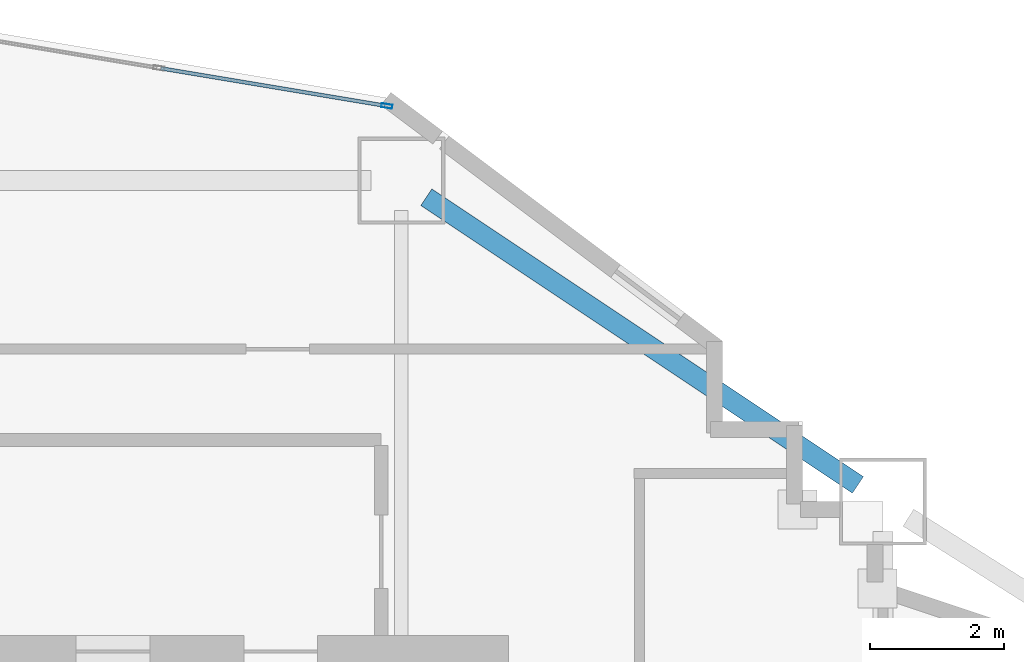
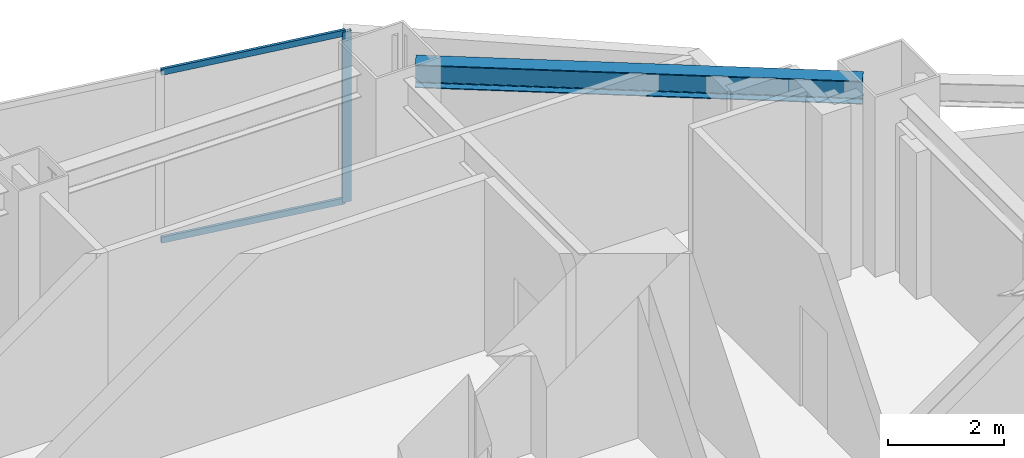
# One storey, part 5 of 17: 3 members, 1 beam, 1 element without a shape of its own.
"""IFC4 building model written with IfcOpenShell, lengths in metres."""

from ifc_helpers import new_model, si_unit, direction, frame, origin, origin_2d, place, context, subcontext, project, spatial, hollow_rectangle, i_section, extrude, material, layer, layer_set, material_profile, profile_set, type_object, element, aggregate, save


model = new_model("IFC4")

# Units and contexts
model_context = context("Model", 3, precision=1e-05, world=origin(), true_north=direction((0.0, 1.0)))
body_context = subcontext(model_context, "Body", "Model", "MODEL_VIEW")
ifc_project = project(units=[si_unit("LENGTHUNIT", "METRE"), si_unit("AREAUNIT", "SQUARE_METRE"), si_unit("VOLUMEUNIT", "CUBIC_METRE"), si_unit("PLANEANGLEUNIT", "RADIAN"), si_unit("MASSUNIT", "GRAM", prefix="KILO")], contexts=[model_context])

# Site, building, storey
site_placement = place(None, origin())
site = spatial("IfcSite", under=ifc_project, at=site_placement, CompositionType="ELEMENT")
building_placement = place(site_placement, origin())
building = spatial("IfcBuilding", under=site, at=building_placement, Name="Haolan Belvedere Tower", CompositionType="ELEMENT")
storey_placement = place(building_placement, frame((0.0, 0.0, 35.39990234375)))
storey = spatial("IfcBuildingStorey", under=building, at=storey_placement, Name="L08", CompositionType="ELEMENT", Elevation=35.39990234375)

# Beam
ifc_material_1 = material(Name="Steel Q355B", Category="steel")
ifc_material_profile_1 = material_profile(ifc_material_1, i_section(OverallWidth=0.300048828125, OverallDepth=0.488037109375, WebThickness=0.010986328125, FlangeThickness=0.01806640625, FilletRadius=0.02587890625, at=origin_2d()), Name="Steel Q355B")
ifc_profile_set_1 = profile_set([ifc_material_profile_1], Name="Steel Q355B")
beam_type = type_object("IfcBeamType", Name="BM-HM488x300x11x18", PredefinedType="SPANDREL", material=ifc_profile_set_1)
beam_placement = place(storey_placement, frame((45.974365234375, 50.150390625, 3.356201171875), z_axis=(0.832050294338, -0.554700196225, 0.0), x_axis=(0.554700196225, 0.832050294338, 0.0)))
element("IfcBeam", 1, at=beam_placement, inside=storey, type_object=beam_type, Name="L08 spandrel girder MC-T3-N2-MC-T3-NE", PredefinedType="SPANDREL", context=body_context, shape_type="SweptSolid", body=[
    extrude(i_section(OverallWidth=0.300048828125, OverallDepth=0.488037109375, WebThickness=0.010986328125, FlangeThickness=0.01806640625, FilletRadius=0.02587890625, at=origin_2d()), origin(), (0.0, 0.0, 1.0), 7.75341796875),
])

# Curtain wall, members
ifc_material_2 = material(Name="Anodised champagne-silver aluminium 6063-T6 and Low-E glass", Category="aluminium")
ifc_layer = layer(ifc_material_2, 0.1650390625, Name="Anodised champagne-silver aluminium 6063-T6 and Low-E glass")
ifc_layer_set = layer_set([ifc_layer], Name="Anodised champagne-silver aluminium 6063-T6 and Low-E glass")
curtain_wall_type = type_object("IfcCurtainWallType", Name="CW-SYS-02", PredefinedType="NOTDEFINED", material=ifc_layer_set)
curtain_wall_placement = place(storey_placement, origin())
curtain_wall = element("IfcCurtainWall", 2, at=curtain_wall_placement, inside=storey, type_object=curtain_wall_type, Name="L08 CW-SYS-02 ribbon curtain wall 42.1", PredefinedType="NOTDEFINED")
ifc_material_3 = material(Name="Anodised aluminium 6063-T6", Category="aluminium")
ifc_material_profile_2 = material_profile(ifc_material_3, hollow_rectangle(XDim=0.06005859375, YDim=0.1650390625, WallThickness=0.00390625, at=origin_2d()), Name="Anodised aluminium 6063-T6")
ifc_profile_set_2 = profile_set([ifc_material_profile_2], Name="Anodised aluminium 6063-T6")
member_type_1 = type_object("IfcMemberType", Name="CW-SYS-02-MUL", PredefinedType="MULLION", material=ifc_profile_set_2)
member_1_placement = place(storey_placement, frame((45.3837890625, 51.514404296875, 0.0), z_axis=(0.0, 0.0, 1.0), x_axis=(-0.16440364043, -0.9863931483, 0.0)))
member_1 = element("IfcMember", 3, at=member_1_placement, type_object=member_type_1, Name="CW-02 mullion 1", PredefinedType="MULLION", context=body_context, shape_type="SweptSolid", body=[
    extrude(hollow_rectangle(XDim=0.06005859375, YDim=0.1650390625, WallThickness=0.00390625, at=origin_2d()), origin(), (0.0, 0.0, 1.0), 3.60009765625),
])
ifc_material_profile_3 = material_profile(ifc_material_3, hollow_rectangle(XDim=0.054931640625, YDim=0.1298828125, WallThickness=0.00390625, at=origin_2d()), Name="Anodised aluminium 6063-T6")
ifc_profile_set_3 = profile_set([ifc_material_profile_3], Name="Anodised aluminium 6063-T6")
member_type_2 = type_object("IfcMemberType", Name="CW-SYS-02-TRN", PredefinedType="USERDEFINED", material=ifc_profile_set_3)
member_2_placement = place(storey_placement, frame((45.35400390625, 51.519287109375, 0.027587890625), z_axis=(-0.986393923832, 0.164398987305, 0.0), x_axis=(-0.164398987305, -0.986393923832, 0.0)))
member_2 = element("IfcMember", 4, at=member_2_placement, type_object=member_type_2, Name="CW-02 transom 1.1", ObjectType="TRANSOM", PredefinedType="USERDEFINED", context=body_context, shape_type="SweptSolid", body=[
    extrude(hollow_rectangle(XDim=0.054931640625, YDim=0.1298828125, WallThickness=0.00390625, at=origin_2d()), origin(), (0.0, 0.0, 1.0), 3.394775390625),
])
member_3_placement = place(storey_placement, frame((45.35400390625, 51.519287109375, 3.572509765625), z_axis=(-0.986393923832, 0.164398987305, 0.0), x_axis=(-0.164398987305, -0.986393923832, 0.0)))
member_3 = element("IfcMember", 5, at=member_3_placement, type_object=member_type_2, Name="CW-02 transom 1.2", ObjectType="TRANSOM", PredefinedType="USERDEFINED", context=body_context, shape_type="SweptSolid", body=[
    extrude(hollow_rectangle(XDim=0.054931640625, YDim=0.1298828125, WallThickness=0.00390625, at=origin_2d()), origin(), (0.0, 0.0, 1.0), 3.394775390625),
])
aggregate(curtain_wall, [member_1, member_2, member_3])

save(model, "model.ifc")
